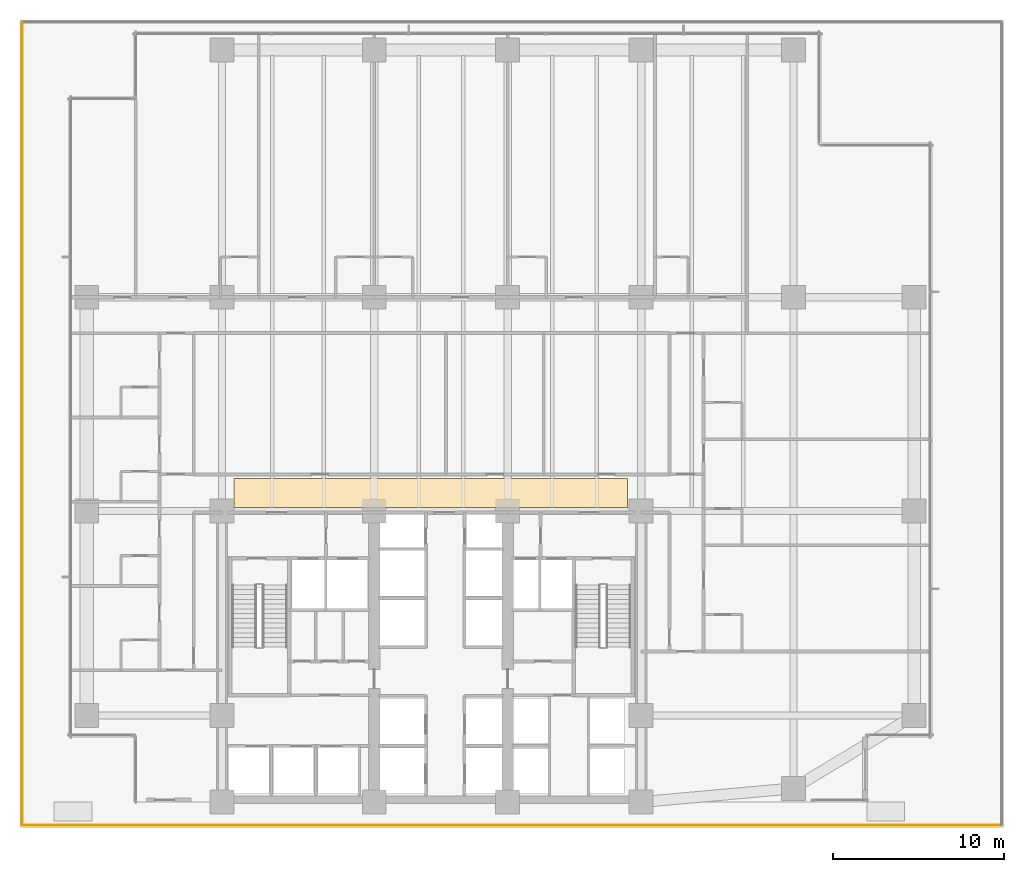
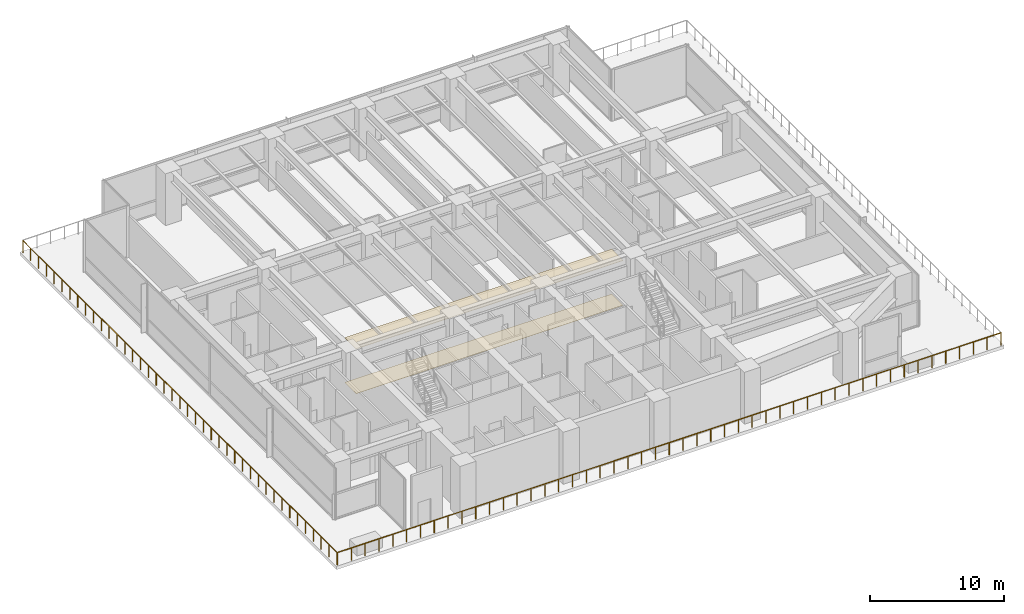
# One storey, part 17 of 19: 2 coverings, 2 railings.
"""IFC4 building model written with IfcOpenShell, lengths in metres."""

from ifc_helpers import new_model, si_unit, direction, frame, origin, origin_2d, place, context, subcontext, project, spatial, polyline, circle, outline, extrude, material, layer, layer_set, type_object, element, save


model = new_model("IFC4")

# Units and contexts
model_context = context("Model", 3, precision=1e-05, world=origin(), true_north=direction((0.0, 1.0)))
body_context = subcontext(model_context, "Body", "Model", "MODEL_VIEW")
ifc_project = project(units=[si_unit("LENGTHUNIT", "METRE"), si_unit("AREAUNIT", "SQUARE_METRE"), si_unit("VOLUMEUNIT", "CUBIC_METRE"), si_unit("PLANEANGLEUNIT", "RADIAN"), si_unit("MASSUNIT", "GRAM", prefix="KILO")], contexts=[model_context])

# Site, building, storey
site_placement = place(None, origin())
site = spatial("IfcSite", under=ifc_project, at=site_placement, CompositionType="ELEMENT")
building_placement = place(site_placement, origin())
building = spatial("IfcBuilding", under=site, at=building_placement, Name="Qalmaran Belvedere Hotel", CompositionType="ELEMENT")
storey_placement = place(building_placement, frame((0.0, 0.0, 28.39990234375)))
storey = spatial("IfcBuildingStorey", under=building, at=storey_placement, Name="L06", CompositionType="ELEMENT", Elevation=28.39990234375)

# Coverings
ifc_material_1 = material(Name="Acoustic Mineral Ceiling")
ifc_layer_1 = layer(ifc_material_1, 0.0400390625, Name="Acoustic Mineral Ceiling")
ifc_layer_set_1 = layer_set([ifc_layer_1], Name="Acoustic Mineral Ceiling")
covering_type_1 = type_object("IfcCoveringType", Name="CLG-ACOUSTIC-40", PredefinedType="CEILING", material=ifc_layer_set_1)
covering_1_placement = place(storey_placement, frame((0.0, 0.0, 4.070068359375)))
element("IfcCovering", 1, at=covering_1_placement, inside=storey, type_object=covering_type_1, Name="L06 Acoustic Corridor Ceiling", PredefinedType="CEILING", context=body_context, shape_type="SweptSolid", body=[
    extrude(outline(polyline([(21.0, 20.699951171875), (44.0, 20.699951171875), (44.0, 22.39990234375), (21.0, 22.39990234375), (21.0, 20.699951171875)])), origin(), (0.0, 0.0, 1.0), 0.0400390625),
])
ifc_material_2 = material(Name="Polished Stone Terrazzo", Category="masonry")
ifc_layer_2 = layer(ifc_material_2, 0.01806640625, Name="Polished Stone Terrazzo")
ifc_layer_set_2 = layer_set([ifc_layer_2], Name="Polished Stone Terrazzo")
covering_type_2 = type_object("IfcCoveringType", Name="FIN-TERRAZZO-18", PredefinedType="FLOORING", material=ifc_layer_set_2)
covering_2_placement = place(storey_placement, frame((0.0, 0.0, 0.002197265625)))
element("IfcCovering", 2, at=covering_2_placement, inside=storey, type_object=covering_type_2, Name="L06 Limestone Corridor Flooring", PredefinedType="FLOORING", context=body_context, shape_type="SweptSolid", body=[
    extrude(outline(polyline([(21.0, 20.699951171875), (44.0, 20.699951171875), (44.0, 22.39990234375), (21.0, 22.39990234375), (21.0, 20.699951171875)])), origin(), (0.0, 0.0, 1.0), 0.017822265625),
])

# Railings
ifc_material_3 = material(Name="Anodised Bronze Aluminium", Category="aluminium")
railing_type = type_object("IfcRailingType", Name="GRD-TERR-1150", PredefinedType="BALUSTRADE", material=ifc_material_3)
railing_1_placement = place(storey_placement, frame((8.675048828125, 2.139892578125, 0.0)))
element("IfcRailing", 3, at=railing_1_placement, inside=storey, type_object=railing_type, Name="L06 Guardrail L06-TERR-1", PredefinedType="BALUSTRADE", context=body_context, shape_type="SweptSolid", body=[
    extrude(circle(Radius=0.02392578125, at=origin_2d()), frame((0.0, 0.0, 1.1259765625), z_axis=(1.0, 0.0, 0.0), x_axis=(0.0, 1.0, 0.0)), (0.0, 0.0, 1.0), 57.14990234375),
    extrude(circle(Radius=0.02099609375, at=origin_2d()), origin(), (0.0, 0.0, 1.0), 1.101806640625),
    extrude(circle(Radius=0.02099609375, at=origin_2d()), frame((1.190673828125, 0.0, 0.0)), (0.0, 0.0, 1.0), 1.101806640625),
    extrude(circle(Radius=0.02099609375, at=origin_2d()), frame((2.38134765625, 0.0, 0.0)), (0.0, 0.0, 1.0), 1.101806640625),
    extrude(circle(Radius=0.02099609375, at=origin_2d()), frame((3.57177734375, 0.0, 0.0)), (0.0, 0.0, 1.0), 1.101806640625),
    extrude(circle(Radius=0.02099609375, at=origin_2d()), frame((4.762451171875, 0.0, 0.0)), (0.0, 0.0, 1.0), 1.101806640625),
    extrude(circle(Radius=0.02099609375, at=origin_2d()), frame((5.953125, 0.0, 0.0)), (0.0, 0.0, 1.0), 1.101806640625),
    extrude(circle(Radius=0.02099609375, at=origin_2d()), frame((7.143798828125, 0.0, 0.0)), (0.0, 0.0, 1.0), 1.101806640625),
    extrude(circle(Radius=0.02099609375, at=origin_2d()), frame((8.33447265625, 0.0, 0.0)), (0.0, 0.0, 1.0), 1.101806640625),
    extrude(circle(Radius=0.02099609375, at=origin_2d()), frame((9.52490234375, 0.0, 0.0)), (0.0, 0.0, 1.0), 1.101806640625),
    extrude(circle(Radius=0.02099609375, at=origin_2d()), frame((10.715576171875, 0.0, 0.0)), (0.0, 0.0, 1.0), 1.101806640625),
    extrude(circle(Radius=0.02099609375, at=origin_2d()), frame((11.90625, 0.0, 0.0)), (0.0, 0.0, 1.0), 1.101806640625),
    extrude(circle(Radius=0.02099609375, at=origin_2d()), frame((13.096923828125, 0.0, 0.0)), (0.0, 0.0, 1.0), 1.101806640625),
    extrude(circle(Radius=0.02099609375, at=origin_2d()), frame((14.28759765625, 0.0, 0.0)), (0.0, 0.0, 1.0), 1.101806640625),
    extrude(circle(Radius=0.02099609375, at=origin_2d()), frame((15.47802734375, 0.0, 0.0)), (0.0, 0.0, 1.0), 1.101806640625),
    extrude(circle(Radius=0.02099609375, at=origin_2d()), frame((16.668701171875, 0.0, 0.0)), (0.0, 0.0, 1.0), 1.101806640625),
    extrude(circle(Radius=0.02099609375, at=origin_2d()), frame((17.859375, 0.0, 0.0)), (0.0, 0.0, 1.0), 1.101806640625),
    extrude(circle(Radius=0.02099609375, at=origin_2d()), frame((19.050048828125, 0.0, 0.0)), (0.0, 0.0, 1.0), 1.101806640625),
    extrude(circle(Radius=0.02099609375, at=origin_2d()), frame((20.240478515625, 0.0, 0.0)), (0.0, 0.0, 1.0), 1.101806640625),
    extrude(circle(Radius=0.02099609375, at=origin_2d()), frame((21.43115234375, 0.0, 0.0)), (0.0, 0.0, 1.0), 1.101806640625),
    extrude(circle(Radius=0.02099609375, at=origin_2d()), frame((22.621826171875, 0.0, 0.0)), (0.0, 0.0, 1.0), 1.101806640625),
    extrude(circle(Radius=0.02099609375, at=origin_2d()), frame((23.8125, 0.0, 0.0)), (0.0, 0.0, 1.0), 1.101806640625),
    extrude(circle(Radius=0.02099609375, at=origin_2d()), frame((25.003173828125, 0.0, 0.0)), (0.0, 0.0, 1.0), 1.101806640625),
    extrude(circle(Radius=0.02099609375, at=origin_2d()), frame((26.193603515625, 0.0, 0.0)), (0.0, 0.0, 1.0), 1.101806640625),
    extrude(circle(Radius=0.02099609375, at=origin_2d()), frame((27.38427734375, 0.0, 0.0)), (0.0, 0.0, 1.0), 1.101806640625),
    extrude(circle(Radius=0.02099609375, at=origin_2d()), frame((28.574951171875, 0.0, 0.0)), (0.0, 0.0, 1.0), 1.101806640625),
    extrude(circle(Radius=0.02099609375, at=origin_2d()), frame((29.765625, 0.0, 0.0)), (0.0, 0.0, 1.0), 1.101806640625),
    extrude(circle(Radius=0.02099609375, at=origin_2d()), frame((30.956298828125, 0.0, 0.0)), (0.0, 0.0, 1.0), 1.101806640625),
    extrude(circle(Radius=0.02099609375, at=origin_2d()), frame((32.146728515625, 0.0, 0.0)), (0.0, 0.0, 1.0), 1.101806640625),
    extrude(circle(Radius=0.02099609375, at=origin_2d()), frame((33.33740234375, 0.0, 0.0)), (0.0, 0.0, 1.0), 1.101806640625),
    extrude(circle(Radius=0.02099609375, at=origin_2d()), frame((34.528076171875, 0.0, 0.0)), (0.0, 0.0, 1.0), 1.101806640625),
    extrude(circle(Radius=0.02099609375, at=origin_2d()), frame((35.71875, 0.0, 0.0)), (0.0, 0.0, 1.0), 1.101806640625),
    extrude(circle(Radius=0.02099609375, at=origin_2d()), frame((36.909423828125, 0.0, 0.0)), (0.0, 0.0, 1.0), 1.101806640625),
    extrude(circle(Radius=0.02099609375, at=origin_2d()), frame((38.099853515625, 0.0, 0.0)), (0.0, 0.0, 1.0), 1.101806640625),
    extrude(circle(Radius=0.02099609375, at=origin_2d()), frame((39.29052734375, 0.0, 0.0)), (0.0, 0.0, 1.0), 1.101806640625),
    extrude(circle(Radius=0.02099609375, at=origin_2d()), frame((40.481201171875, 0.0, 0.0)), (0.0, 0.0, 1.0), 1.101806640625),
    extrude(circle(Radius=0.02099609375, at=origin_2d()), frame((41.671875, 0.0, 0.0)), (0.0, 0.0, 1.0), 1.101806640625),
    extrude(circle(Radius=0.02099609375, at=origin_2d()), frame((42.8623046875, 0.0, 0.0)), (0.0, 0.0, 1.0), 1.101806640625),
    extrude(circle(Radius=0.02099609375, at=origin_2d()), frame((44.052978515625, 0.0, 0.0)), (0.0, 0.0, 1.0), 1.101806640625),
    extrude(circle(Radius=0.02099609375, at=origin_2d()), frame((45.24365234375, 0.0, 0.0)), (0.0, 0.0, 1.0), 1.101806640625),
    extrude(circle(Radius=0.02099609375, at=origin_2d()), frame((46.434326171875, 0.0, 0.0)), (0.0, 0.0, 1.0), 1.101806640625),
    extrude(circle(Radius=0.02099609375, at=origin_2d()), frame((47.625, 0.0, 0.0)), (0.0, 0.0, 1.0), 1.101806640625),
    extrude(circle(Radius=0.02099609375, at=origin_2d()), frame((48.8154296875, 0.0, 0.0)), (0.0, 0.0, 1.0), 1.101806640625),
    extrude(circle(Radius=0.02099609375, at=origin_2d()), frame((50.006103515625, 0.0, 0.0)), (0.0, 0.0, 1.0), 1.101806640625),
    extrude(circle(Radius=0.02099609375, at=origin_2d()), frame((51.19677734375, 0.0, 0.0)), (0.0, 0.0, 1.0), 1.101806640625),
    extrude(circle(Radius=0.02099609375, at=origin_2d()), frame((52.387451171875, 0.0, 0.0)), (0.0, 0.0, 1.0), 1.101806640625),
    extrude(circle(Radius=0.02099609375, at=origin_2d()), frame((53.578125, 0.0, 0.0)), (0.0, 0.0, 1.0), 1.101806640625),
    extrude(circle(Radius=0.02099609375, at=origin_2d()), frame((54.7685546875, 0.0, 0.0)), (0.0, 0.0, 1.0), 1.101806640625),
    extrude(circle(Radius=0.02099609375, at=origin_2d()), frame((55.959228515625, 0.0, 0.0)), (0.0, 0.0, 1.0), 1.101806640625),
    extrude(circle(Radius=0.02099609375, at=origin_2d()), frame((57.14990234375, 0.0, 0.0)), (0.0, 0.0, 1.0), 1.101806640625),
])
railing_2_placement = place(storey_placement, frame((8.639892578125, 49.02490234375, 0.0)))
element("IfcRailing", 4, at=railing_2_placement, inside=storey, type_object=railing_type, Name="L06 Guardrail L06-TERR-4", PredefinedType="BALUSTRADE", context=body_context, shape_type="SweptSolid", body=[
    extrude(circle(Radius=0.02392578125, at=origin_2d()), frame((0.0, 0.0, 1.1259765625), z_axis=(0.0, -1.0, 0.0), x_axis=(1.0, 0.0, 0.0)), (0.0, 0.0, 1.0), 46.849853515625),
    extrude(circle(Radius=0.02099609375, at=origin_2d()), origin(), (0.0, 0.0, 1.0), 1.101806640625),
    extrude(circle(Radius=0.02099609375, at=origin_2d()), frame((0.0, -1.171142578125, 0.0)), (0.0, 0.0, 1.0), 1.101806640625),
    extrude(circle(Radius=0.02099609375, at=origin_2d()), frame((0.0, -2.342529296875, 0.0)), (0.0, 0.0, 1.0), 1.101806640625),
    extrude(circle(Radius=0.02099609375, at=origin_2d()), frame((0.0, -3.513671875, 0.0)), (0.0, 0.0, 1.0), 1.101806640625),
    extrude(circle(Radius=0.02099609375, at=origin_2d()), frame((0.0, -4.68505859375, 0.0)), (0.0, 0.0, 1.0), 1.101806640625),
    extrude(circle(Radius=0.02099609375, at=origin_2d()), frame((0.0, -5.856201171875, 0.0)), (0.0, 0.0, 1.0), 1.101806640625),
    extrude(circle(Radius=0.02099609375, at=origin_2d()), frame((0.0, -7.027587890625, 0.0)), (0.0, 0.0, 1.0), 1.101806640625),
    extrude(circle(Radius=0.02099609375, at=origin_2d()), frame((0.0, -8.19873046875, 0.0)), (0.0, 0.0, 1.0), 1.101806640625),
    extrude(circle(Radius=0.02099609375, at=origin_2d()), frame((0.0, -9.369873046875, 0.0)), (0.0, 0.0, 1.0), 1.101806640625),
    extrude(circle(Radius=0.02099609375, at=origin_2d()), frame((0.0, -10.541259765625, 0.0)), (0.0, 0.0, 1.0), 1.101806640625),
    extrude(circle(Radius=0.02099609375, at=origin_2d()), frame((0.0, -11.71240234375, 0.0)), (0.0, 0.0, 1.0), 1.101806640625),
    extrude(circle(Radius=0.02099609375, at=origin_2d()), frame((0.0, -12.8837890625, 0.0)), (0.0, 0.0, 1.0), 1.101806640625),
    extrude(circle(Radius=0.02099609375, at=origin_2d()), frame((0.0, -14.054931640625, 0.0)), (0.0, 0.0, 1.0), 1.101806640625),
    extrude(circle(Radius=0.02099609375, at=origin_2d()), frame((0.0, -15.226318359375, 0.0)), (0.0, 0.0, 1.0), 1.101806640625),
    extrude(circle(Radius=0.02099609375, at=origin_2d()), frame((0.0, -16.3974609375, 0.0)), (0.0, 0.0, 1.0), 1.101806640625),
    extrude(circle(Radius=0.02099609375, at=origin_2d()), frame((0.0, -17.568603515625, 0.0)), (0.0, 0.0, 1.0), 1.101806640625),
    extrude(circle(Radius=0.02099609375, at=origin_2d()), frame((0.0, -18.739990234375, 0.0)), (0.0, 0.0, 1.0), 1.101806640625),
    extrude(circle(Radius=0.02099609375, at=origin_2d()), frame((0.0, -19.9111328125, 0.0)), (0.0, 0.0, 1.0), 1.101806640625),
    extrude(circle(Radius=0.02099609375, at=origin_2d()), frame((0.0, -21.08251953125, 0.0)), (0.0, 0.0, 1.0), 1.101806640625),
    extrude(circle(Radius=0.02099609375, at=origin_2d()), frame((0.0, -22.253662109375, 0.0)), (0.0, 0.0, 1.0), 1.101806640625),
    extrude(circle(Radius=0.02099609375, at=origin_2d()), frame((0.0, -23.4248046875, 0.0)), (0.0, 0.0, 1.0), 1.101806640625),
    extrude(circle(Radius=0.02099609375, at=origin_2d()), frame((0.0, -24.59619140625, 0.0)), (0.0, 0.0, 1.0), 1.101806640625),
    extrude(circle(Radius=0.02099609375, at=origin_2d()), frame((0.0, -25.767333984375, 0.0)), (0.0, 0.0, 1.0), 1.101806640625),
    extrude(circle(Radius=0.02099609375, at=origin_2d()), frame((0.0, -26.938720703125, 0.0)), (0.0, 0.0, 1.0), 1.101806640625),
    extrude(circle(Radius=0.02099609375, at=origin_2d()), frame((0.0, -28.10986328125, 0.0)), (0.0, 0.0, 1.0), 1.101806640625),
    extrude(circle(Radius=0.02099609375, at=origin_2d()), frame((0.0, -29.28125, 0.0)), (0.0, 0.0, 1.0), 1.101806640625),
    extrude(circle(Radius=0.02099609375, at=origin_2d()), frame((0.0, -30.452392578125, 0.0)), (0.0, 0.0, 1.0), 1.101806640625),
    extrude(circle(Radius=0.02099609375, at=origin_2d()), frame((0.0, -31.62353515625, 0.0)), (0.0, 0.0, 1.0), 1.101806640625),
    extrude(circle(Radius=0.02099609375, at=origin_2d()), frame((0.0, -32.794921875, 0.0)), (0.0, 0.0, 1.0), 1.101806640625),
    extrude(circle(Radius=0.02099609375, at=origin_2d()), frame((0.0, -33.966064453125, 0.0)), (0.0, 0.0, 1.0), 1.101806640625),
    extrude(circle(Radius=0.02099609375, at=origin_2d()), frame((0.0, -35.137451171875, 0.0)), (0.0, 0.0, 1.0), 1.101806640625),
    extrude(circle(Radius=0.02099609375, at=origin_2d()), frame((0.0, -36.30859375, 0.0)), (0.0, 0.0, 1.0), 1.101806640625),
    extrude(circle(Radius=0.02099609375, at=origin_2d()), frame((0.0, -37.47998046875, 0.0)), (0.0, 0.0, 1.0), 1.101806640625),
    extrude(circle(Radius=0.02099609375, at=origin_2d()), frame((0.0, -38.651123046875, 0.0)), (0.0, 0.0, 1.0), 1.101806640625),
    extrude(circle(Radius=0.02099609375, at=origin_2d()), frame((0.0, -39.822265625, 0.0)), (0.0, 0.0, 1.0), 1.101806640625),
    extrude(circle(Radius=0.02099609375, at=origin_2d()), frame((0.0, -40.99365234375, 0.0)), (0.0, 0.0, 1.0), 1.101806640625),
    extrude(circle(Radius=0.02099609375, at=origin_2d()), frame((0.0, -42.164794921875, 0.0)), (0.0, 0.0, 1.0), 1.101806640625),
    extrude(circle(Radius=0.02099609375, at=origin_2d()), frame((0.0, -43.336181640625, 0.0)), (0.0, 0.0, 1.0), 1.101806640625),
    extrude(circle(Radius=0.02099609375, at=origin_2d()), frame((0.0, -44.50732421875, 0.0)), (0.0, 0.0, 1.0), 1.101806640625),
    extrude(circle(Radius=0.02099609375, at=origin_2d()), frame((0.0, -45.6787109375, 0.0)), (0.0, 0.0, 1.0), 1.101806640625),
    extrude(circle(Radius=0.02099609375, at=origin_2d()), frame((0.0, -46.849853515625, 0.0)), (0.0, 0.0, 1.0), 1.101806640625),
])

save(model, "model.ifc")
